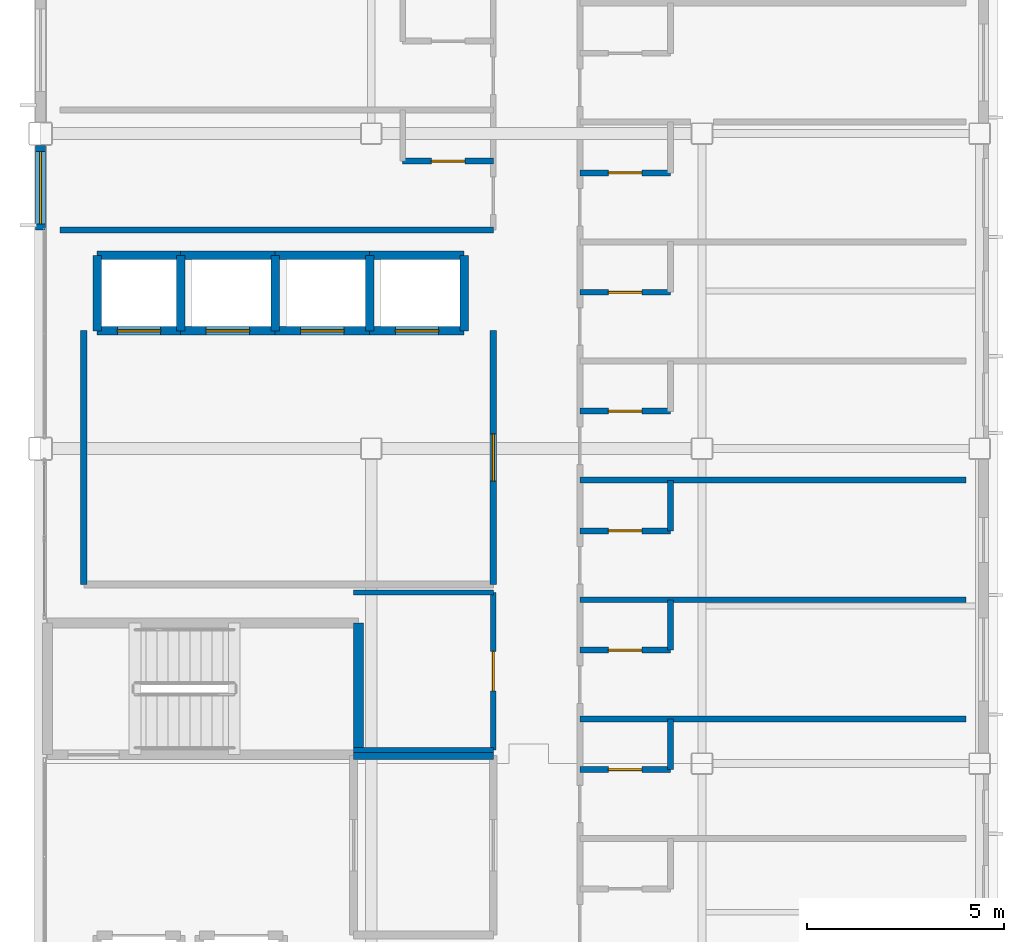
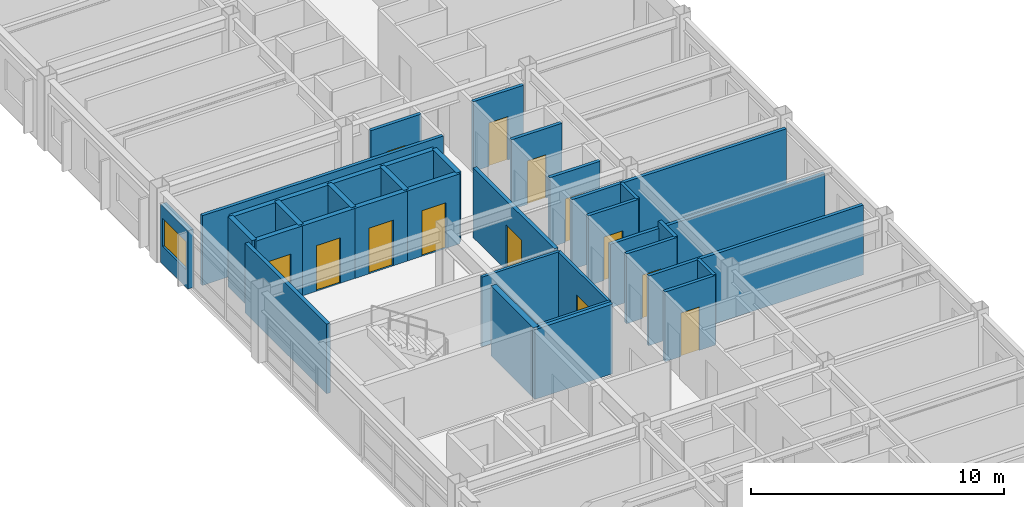
# One storey, part 28 of 38: 35 walls, 13 doors, 1 window, 14 openings.
"""IFC4 building model written with IfcOpenShell, lengths in metres."""

from ifc_helpers import new_model, si_unit, direction, frame, frame_2d, origin, place, context, subcontext, project, spatial, rectangle, extrude, material, layer, layer_set, type_object, element, fill, save


model = new_model("IFC4")

# Units and contexts
model_context = context("Model", 3, precision=1e-05, world=origin(), true_north=direction((0.0, 1.0)))
body_context = subcontext(model_context, "Body", "Model", "MODEL_VIEW")
ifc_project = project(units=[si_unit("LENGTHUNIT", "METRE"), si_unit("AREAUNIT", "SQUARE_METRE"), si_unit("VOLUMEUNIT", "CUBIC_METRE"), si_unit("PLANEANGLEUNIT", "RADIAN"), si_unit("MASSUNIT", "GRAM", prefix="KILO")], contexts=[model_context])

# Site, building, storey
site_placement = place(None, origin())
site = spatial("IfcSite", under=ifc_project, at=site_placement, CompositionType="ELEMENT")
building_placement = place(site_placement, origin())
building = spatial("IfcBuilding", under=site, at=building_placement, Name="Kazehara Bluff Congress Hotel", CompositionType="ELEMENT")
storey_placement = place(building_placement, frame((0.0, 0.0, 24.60009765625)))
storey = spatial("IfcBuildingStorey", under=building, at=storey_placement, Name="L05", CompositionType="ELEMENT", Elevation=24.60009765625)

# Wall
ifc_material_1 = material(Name="Concrete C40/50", Category="concrete")
ifc_layer_1 = layer(ifc_material_1, 0.25)
ifc_layer_set_1 = layer_set([ifc_layer_1], Name="Concrete C40/50")
wall_type_1 = type_object("IfcWallType", Name="TP-CW-RC", PredefinedType="SHEAR", material=ifc_layer_set_1)
wall_1_placement = place(storey_placement, frame((151.77490234375, 52.02490234375, 0.0), z_axis=(0.0, 0.0, 1.0), x_axis=(0.0, -1.0, 0.0)))
element("IfcWall", 1, at=wall_1_placement, inside=storey, type_object=wall_type_1, Name="L05 ST-11 core wall far", PredefinedType="SHEAR", context=body_context, shape_type="SweptSolid", body=[
    extrude(rectangle(XDim=3.349853515625, YDim=0.25, at=frame_2d((1.6748046875, 0.0))), origin(), (0.0, 0.0, 1.0), 3.3798828125),
])

# Wall, opening, window
ifc_material_2 = material(Name="Precast concrete C40/50", Category="concrete")
ifc_layer_2 = layer(ifc_material_2, 0.260009765625)
ifc_layer_set_2 = layer_set([ifc_layer_2], Name="Precast concrete C40/50")
wall_type_2 = type_object("IfcWallType", Name="TP-EW-260", PredefinedType="SOLIDWALL", material=ifc_layer_set_2)
wall_2_placement = place(storey_placement, frame((143.699951171875, 62.0, 0.0), z_axis=(0.0, 0.0, 1.0), x_axis=(0.0, 1.0, 0.0)))
wall_2 = element("IfcWall", 2, at=wall_2_placement, inside=storey, type_object=wall_type_2, Name="L05 hotel facade panel 60", PredefinedType="SOLIDWALL", context=body_context, shape_type="SweptSolid", body=[
    extrude(rectangle(XDim=2.14990234375, YDim=0.260009765625, at=frame_2d((1.074951171875, 0.0))), origin(), (0.0, 0.0, 1.0), 2.804931640625),
])
opening_1_placement = place(wall_2_placement, frame((0.14990234375, 0.0, 0.85009765625)))
opening_1 = element("IfcOpeningElement", 3, at=opening_1_placement, cuts=wall_2, Name="Opening WN-36", PredefinedType="OPENING", context=body_context, shape_type="SweptSolid", body=[
    extrude(rectangle(XDim=1.85009765625, YDim=1.35009765625, at=frame_2d((0.925048828125, 0.675048828125))), frame((0.0, 0.139892578125, 0.0), z_axis=(0.0, -1.0, 0.0), x_axis=(1.0, 0.0, 0.0)), (0.0, 0.0, 1.0), 0.280029296875),
])
ifc_material_3 = material(Name="Insulated low-E double glazing", Category="glass")
window_type = type_object("IfcWindowType", Name="TP-WN-36", PartitioningType="DOUBLE_PANEL_VERTICAL", PredefinedType="WINDOW", material=ifc_material_3)
window_placement = place(opening_1_placement, origin())
window = element("IfcWindow", 4, at=window_placement, inside=storey, type_object=window_type, Name="L05 guestroom window WN-36 105", OverallHeight=1.35009765625, OverallWidth=1.85009765625, PartitioningType="SINGLE_PANEL", PredefinedType="WINDOW", context=body_context, shape_type="SweptSolid", body=[
    extrude(rectangle(XDim=1.85009765625, YDim=1.35009765625, at=frame_2d((0.925048828125, 0.675048828125))), frame((0.0, 0.030029296875, 0.0), z_axis=(0.0, -1.0, 0.0), x_axis=(1.0, 0.0, 0.0)), (0.0, 0.0, 1.0), 0.06005859375),
])
fill(opening_1, window)

# Walls
ifc_material_4 = material(Name="Concrete C40/50", Category="concrete")
ifc_layer_3 = layer(ifc_material_4, 0.199951171875)
ifc_layer_set_3 = layer_set([ifc_layer_3], Name="Concrete C40/50")
wall_type_3 = type_object("IfcWallType", Name="TP-FW-RC", PredefinedType="SOLIDWALL", material=ifc_layer_set_3)
wall_3_placement = place(storey_placement, frame((151.64990234375, 48.64990234375, 0.0), z_axis=(0.0, 0.0, 1.0), x_axis=(1.0, 0.0, 0.0)))
element("IfcWall", 5, at=wall_3_placement, inside=storey, type_object=wall_type_3, Name="L05 partition FW-RC 561", PredefinedType="SOLIDWALL", context=body_context, shape_type="SweptSolid", body=[
    extrude(rectangle(XDim=3.550048828125, YDim=0.199951171875, at=frame_2d((1.77490234375, 0.0))), origin(), (0.0, 0.0, 1.0), 3.364990234375),
])
ifc_material_5 = material(Name="Fire-rated gypsum board stud partition")
ifc_layer_4 = layer(ifc_material_5, 0.1298828125)
ifc_layer_set_4 = layer_set([ifc_layer_4], Name="Fire-rated gypsum board stud partition")
wall_type_4 = type_object("IfcWallType", Name="TP-PT-130", PredefinedType="PARTITIONING", material=ifc_layer_set_4)
for number, where, z_axis, x_axis, name in (
    (6, (151.64990234375, 48.800048828125, 0.0), (0.0, 0.0, 1.0), (1.0, 0.0, 0.0), "L05 partition PT-130 562"),
    (7, (151.64990234375, 52.800048828125, 0.0), (0.0, 0.0, 1.0), (1.0, 0.0, 0.0), "L05 partition PT-130 566"),
):
    element("IfcWall", number, at=place(storey_placement, frame(where, z_axis=z_axis, x_axis=x_axis)), inside=storey, type_object=wall_type_4, Name=name, PredefinedType="PARTITIONING", context=body_context, shape_type="SweptSolid", body=[
        extrude(rectangle(XDim=3.550048828125, YDim=0.1298828125, at=frame_2d((1.77490234375, 0.0))), origin(), (0.0, 0.0, 1.0), 3.364990234375),
    ])

# Wall, opening, door
wall_4_placement = place(storey_placement, frame((155.199951171875, 48.800048828125, 0.0), z_axis=(0.0, 0.0, 1.0), x_axis=(0.0, 1.0, 0.0)))
wall_4 = element("IfcWall", 8, at=wall_4_placement, inside=storey, type_object=wall_type_4, Name="L05 partition PT-130 654", PredefinedType="PARTITIONING", context=body_context, shape_type="SweptSolid", body=[
    extrude(rectangle(XDim=4.0, YDim=0.1298828125, at=frame_2d((2.0, 0.0))), origin(), (0.0, 0.0, 1.0), 3.364990234375),
])
opening_2_placement = place(wall_4_placement, frame((1.5, 0.0, 0.0)))
opening_2 = element("IfcOpeningElement", 9, at=opening_2_placement, cuts=wall_4, Name="Opening ID-03", PredefinedType="OPENING", context=body_context, shape_type="SweptSolid", body=[
    extrude(rectangle(XDim=1.0, YDim=2.179931640625, at=frame_2d((0.5, 1.08984375))), frame((0.0, 0.074951171875, 0.0), z_axis=(0.0, -1.0, 0.0), x_axis=(1.0, 0.0, 0.0)), (0.0, 0.0, 1.0), 0.14990234375),
])
ifc_material_6 = material(Name="Architectural oak veneer leaf")
door_type_1 = type_object("IfcDoorType", Name="TP-ID-03", OperationType="NOTDEFINED", PredefinedType="DOOR", material=ifc_material_6)
door_1_placement = place(opening_2_placement, origin())
door_1 = element("IfcDoor", 10, at=door_1_placement, inside=storey, type_object=door_type_1, Name="L05 L05 Housekeeping and Linen Room door", OperationType="SINGLE_SWING_RIGHT", OverallHeight=2.179931640625, OverallWidth=1.0, PredefinedType="DOOR", context=body_context, shape_type="SweptSolid", body=[
    extrude(rectangle(XDim=1.0, YDim=2.179931640625, at=frame_2d((0.5, 1.08984375))), frame((0.0, 0.02490234375, 0.0), z_axis=(0.0, -1.0, 0.0), x_axis=(1.0, 0.0, 0.0)), (0.0, 0.0, 1.0), 0.050048828125),
])
fill(opening_2, door_1)

ifc_material_7 = material(Name="Fire-rated gypsum board stud partition")
ifc_layer_5 = layer(ifc_material_7, 0.14990234375)
ifc_layer_set_5 = layer_set([ifc_layer_5], Name="Fire-rated gypsum board stud partition")
wall_type_5 = type_object("IfcWallType", Name="TP-PT-150", PredefinedType="PARTITIONING", material=ifc_layer_set_5)
wall_5_placement = place(storey_placement, frame((157.39990234375, 48.300048828125, 0.0), z_axis=(0.0, 0.0, 1.0), x_axis=(1.0, 0.0, 0.0)))
wall_5 = element("IfcWall", 11, at=wall_5_placement, inside=storey, type_object=wall_type_5, Name="L05 partition PT-150 560", PredefinedType="PARTITIONING", context=body_context, shape_type="SweptSolid", body=[
    extrude(rectangle(XDim=2.300048828125, YDim=0.14990234375, at=frame_2d((1.14990234375, 0.0))), origin(), (0.0, 0.0, 1.0), 3.364990234375),
])
opening_3_placement = place(wall_5_placement, frame((0.72509765625, 0.0, 0.0)))
opening_3 = element("IfcOpeningElement", 12, at=opening_3_placement, cuts=wall_5, Name="Opening BD-01", PredefinedType="OPENING", context=body_context, shape_type="SweptSolid", body=[
    extrude(rectangle(XDim=0.85009765625, YDim=2.10009765625, at=frame_2d((0.425048828125, 1.050048828125))), frame((0.0, 0.0849609375, 0.0), z_axis=(0.0, -1.0, 0.0), x_axis=(1.0, 0.0, 0.0)), (0.0, 0.0, 1.0), 0.169921875),
])
ifc_material_8 = material(Name="Architectural oak veneer leaf")
door_type_2 = type_object("IfcDoorType", Name="TP-BD-01", OperationType="NOTDEFINED", PredefinedType="DOOR", material=ifc_material_8)
door_2_placement = place(opening_3_placement, origin())
door_2 = element("IfcDoor", 13, at=door_2_placement, inside=storey, type_object=door_type_2, Name="L05 En-suite Bathroom 105 door", OperationType="SINGLE_SWING_RIGHT", OverallHeight=2.10009765625, OverallWidth=0.85009765625, PredefinedType="DOOR", context=body_context, shape_type="SweptSolid", body=[
    extrude(rectangle(XDim=0.85009765625, YDim=2.10009765625, at=frame_2d((0.425048828125, 1.050048828125))), frame((0.0, 0.02490234375, 0.0), z_axis=(0.0, -1.0, 0.0), x_axis=(1.0, 0.0, 0.0)), (0.0, 0.0, 1.0), 0.050048828125),
])
fill(opening_3, door_2)

# Wall
wall_6_placement = place(storey_placement, frame((157.39990234375, 49.580078125, 0.0), z_axis=(0.0, 0.0, 1.0), x_axis=(1.0, 0.0, 0.0)))
element("IfcWall", 14, at=wall_6_placement, inside=storey, type_object=wall_type_5, Name="L05 partition PT-150 563", PredefinedType="PARTITIONING", context=body_context, shape_type="SweptSolid", body=[
    extrude(rectangle(XDim=9.800048828125, YDim=0.14990234375, at=frame_2d((4.89990234375, 0.0))), origin(), (0.0, 0.0, 1.0), 3.364990234375),
])

# Wall, opening, door
wall_7_placement = place(storey_placement, frame((157.39990234375, 51.330078125, 0.0), z_axis=(0.0, 0.0, 1.0), x_axis=(1.0, 0.0, 0.0)))
wall_7 = element("IfcWall", 15, at=wall_7_placement, inside=storey, type_object=wall_type_5, Name="L05 partition PT-150 564", PredefinedType="PARTITIONING", context=body_context, shape_type="SweptSolid", body=[
    extrude(rectangle(XDim=2.300048828125, YDim=0.14990234375, at=frame_2d((1.14990234375, 0.0))), origin(), (0.0, 0.0, 1.0), 3.364990234375),
])
opening_4_placement = place(wall_7_placement, frame((0.72509765625, 0.0, 0.0)))
opening_4 = element("IfcOpeningElement", 16, at=opening_4_placement, cuts=wall_7, Name="Opening BD-01", PredefinedType="OPENING", context=body_context, shape_type="SweptSolid", body=[
    extrude(rectangle(XDim=0.85009765625, YDim=2.10009765625, at=frame_2d((0.425048828125, 1.050048828125))), frame((0.0, 0.0849609375, 0.0), z_axis=(0.0, -1.0, 0.0), x_axis=(1.0, 0.0, 0.0)), (0.0, 0.0, 1.0), 0.169921875),
])
door_3_placement = place(opening_4_placement, origin())
door_3 = element("IfcDoor", 17, at=door_3_placement, inside=storey, type_object=door_type_2, Name="L05 En-suite Bathroom 106 door", OperationType="SINGLE_SWING_RIGHT", OverallHeight=2.10009765625, OverallWidth=0.85009765625, PredefinedType="DOOR", context=body_context, shape_type="SweptSolid", body=[
    extrude(rectangle(XDim=0.85009765625, YDim=2.10009765625, at=frame_2d((0.425048828125, 1.050048828125))), frame((0.0, 0.02490234375, 0.0), z_axis=(0.0, -1.0, 0.0), x_axis=(1.0, 0.0, 0.0)), (0.0, 0.0, 1.0), 0.050048828125),
])
fill(opening_4, door_3)

# Wall
wall_8_placement = place(storey_placement, frame((157.39990234375, 52.610107421875, 0.0), z_axis=(0.0, 0.0, 1.0), x_axis=(1.0, 0.0, 0.0)))
element("IfcWall", 18, at=wall_8_placement, inside=storey, type_object=wall_type_5, Name="L05 partition PT-150 565", PredefinedType="PARTITIONING", context=body_context, shape_type="SweptSolid", body=[
    extrude(rectangle(XDim=9.800048828125, YDim=0.14990234375, at=frame_2d((4.89990234375, 0.0))), origin(), (0.0, 0.0, 1.0), 3.054931640625),
])

# Wall, opening, door
wall_9_placement = place(storey_placement, frame((157.39990234375, 54.360107421875, 0.0), z_axis=(0.0, 0.0, 1.0), x_axis=(1.0, 0.0, 0.0)))
wall_9 = element("IfcWall", 19, at=wall_9_placement, inside=storey, type_object=wall_type_5, Name="L05 partition PT-150 568", PredefinedType="PARTITIONING", context=body_context, shape_type="SweptSolid", body=[
    extrude(rectangle(XDim=2.300048828125, YDim=0.14990234375, at=frame_2d((1.14990234375, 0.0))), origin(), (0.0, 0.0, 1.0), 3.364990234375),
])
opening_5_placement = place(wall_9_placement, frame((0.72509765625, 0.0, 0.0)))
opening_5 = element("IfcOpeningElement", 20, at=opening_5_placement, cuts=wall_9, Name="Opening BD-01", PredefinedType="OPENING", context=body_context, shape_type="SweptSolid", body=[
    extrude(rectangle(XDim=0.85009765625, YDim=2.10009765625, at=frame_2d((0.425048828125, 1.050048828125))), frame((0.0, 0.0849609375, 0.0), z_axis=(0.0, -1.0, 0.0), x_axis=(1.0, 0.0, 0.0)), (0.0, 0.0, 1.0), 0.169921875),
])
door_4_placement = place(opening_5_placement, origin())
door_4 = element("IfcDoor", 21, at=door_4_placement, inside=storey, type_object=door_type_2, Name="L05 En-suite Bathroom 107 door", OperationType="SINGLE_SWING_RIGHT", OverallHeight=2.10009765625, OverallWidth=0.85009765625, PredefinedType="DOOR", context=body_context, shape_type="SweptSolid", body=[
    extrude(rectangle(XDim=0.85009765625, YDim=2.10009765625, at=frame_2d((0.425048828125, 1.050048828125))), frame((0.0, 0.02490234375, 0.0), z_axis=(0.0, -1.0, 0.0), x_axis=(1.0, 0.0, 0.0)), (0.0, 0.0, 1.0), 0.050048828125),
])
fill(opening_5, door_4)

# Wall
wall_10_placement = place(storey_placement, frame((157.39990234375, 55.64990234375, 0.0), z_axis=(0.0, 0.0, 1.0), x_axis=(1.0, 0.0, 0.0)))
element("IfcWall", 22, at=wall_10_placement, inside=storey, type_object=wall_type_5, Name="L05 partition PT-150 569", PredefinedType="PARTITIONING", context=body_context, shape_type="SweptSolid", body=[
    extrude(rectangle(XDim=9.800048828125, YDim=0.14990234375, at=frame_2d((4.89990234375, 0.0))), origin(), (0.0, 0.0, 1.0), 3.364990234375),
])

# Wall, opening, door
wall_11_placement = place(storey_placement, frame((157.39990234375, 57.39990234375, 0.0), z_axis=(0.0, 0.0, 1.0), x_axis=(1.0, 0.0, 0.0)))
wall_11 = element("IfcWall", 23, at=wall_11_placement, inside=storey, type_object=wall_type_5, Name="L05 partition PT-150 570", PredefinedType="PARTITIONING", context=body_context, shape_type="SweptSolid", body=[
    extrude(rectangle(XDim=2.300048828125, YDim=0.14990234375, at=frame_2d((1.14990234375, 0.0))), origin(), (0.0, 0.0, 1.0), 3.364990234375),
])
opening_6_placement = place(wall_11_placement, frame((0.72509765625, 0.0, 0.0)))
opening_6 = element("IfcOpeningElement", 24, at=opening_6_placement, cuts=wall_11, Name="Opening BD-01", PredefinedType="OPENING", context=body_context, shape_type="SweptSolid", body=[
    extrude(rectangle(XDim=0.85009765625, YDim=2.10009765625, at=frame_2d((0.425048828125, 1.050048828125))), frame((0.0, 0.0849609375, 0.0), z_axis=(0.0, -1.0, 0.0), x_axis=(1.0, 0.0, 0.0)), (0.0, 0.0, 1.0), 0.169921875),
])
door_5_placement = place(opening_6_placement, origin())
door_5 = element("IfcDoor", 25, at=door_5_placement, inside=storey, type_object=door_type_2, Name="L05 En-suite Bathroom 108 door", OperationType="SINGLE_SWING_RIGHT", OverallHeight=2.10009765625, OverallWidth=0.85009765625, PredefinedType="DOOR", context=body_context, shape_type="SweptSolid", body=[
    extrude(rectangle(XDim=0.85009765625, YDim=2.10009765625, at=frame_2d((0.425048828125, 1.050048828125))), frame((0.0, 0.02490234375, 0.0), z_axis=(0.0, -1.0, 0.0), x_axis=(1.0, 0.0, 0.0)), (0.0, 0.0, 1.0), 0.050048828125),
])
fill(opening_6, door_5)

wall_12_placement = place(storey_placement, frame((157.39990234375, 60.419921875, 0.0), z_axis=(0.0, 0.0, 1.0), x_axis=(1.0, 0.0, 0.0)))
wall_12 = element("IfcWall", 26, at=wall_12_placement, inside=storey, type_object=wall_type_5, Name="L05 partition PT-150 572", PredefinedType="PARTITIONING", context=body_context, shape_type="SweptSolid", body=[
    extrude(rectangle(XDim=2.300048828125, YDim=0.14990234375, at=frame_2d((1.14990234375, 0.0))), origin(), (0.0, 0.0, 1.0), 3.364990234375),
])
opening_7_placement = place(wall_12_placement, frame((0.72509765625, 0.0, 0.0)))
opening_7 = element("IfcOpeningElement", 27, at=opening_7_placement, cuts=wall_12, Name="Opening BD-01", PredefinedType="OPENING", context=body_context, shape_type="SweptSolid", body=[
    extrude(rectangle(XDim=0.85009765625, YDim=2.10009765625, at=frame_2d((0.425048828125, 1.050048828125))), frame((0.0, 0.0849609375, 0.0), z_axis=(0.0, -1.0, 0.0), x_axis=(1.0, 0.0, 0.0)), (0.0, 0.0, 1.0), 0.169921875),
])
door_6_placement = place(opening_7_placement, origin())
door_6 = element("IfcDoor", 28, at=door_6_placement, inside=storey, type_object=door_type_2, Name="L05 En-suite Bathroom 109 door", OperationType="SINGLE_SWING_RIGHT", OverallHeight=2.10009765625, OverallWidth=0.85009765625, PredefinedType="DOOR", context=body_context, shape_type="SweptSolid", body=[
    extrude(rectangle(XDim=0.85009765625, YDim=2.10009765625, at=frame_2d((0.425048828125, 1.050048828125))), frame((0.0, 0.02490234375, 0.0), z_axis=(0.0, -1.0, 0.0), x_axis=(1.0, 0.0, 0.0)), (0.0, 0.0, 1.0), 0.050048828125),
])
fill(opening_7, door_6)

# Wall
wall_13_placement = place(storey_placement, frame((144.199951171875, 62.0, 0.0), z_axis=(0.0, 0.0, 1.0), x_axis=(1.0, 0.0, 0.0)))
element("IfcWall", 29, at=wall_13_placement, inside=storey, type_object=wall_type_5, Name="L05 partition PT-150 574", PredefinedType="PARTITIONING", context=body_context, shape_type="SweptSolid", body=[
    extrude(rectangle(XDim=11.0, YDim=0.14990234375, at=frame_2d((5.5, 0.0))), origin(), (0.0, 0.0, 1.0), 3.364990234375),
])

# Wall, opening, door
wall_14_placement = place(storey_placement, frame((157.39990234375, 63.449951171875, 0.0), z_axis=(0.0, 0.0, 1.0), x_axis=(1.0, 0.0, 0.0)))
wall_14 = element("IfcWall", 30, at=wall_14_placement, inside=storey, type_object=wall_type_5, Name="L05 partition PT-150 575", PredefinedType="PARTITIONING", context=body_context, shape_type="SweptSolid", body=[
    extrude(rectangle(XDim=2.300048828125, YDim=0.14990234375, at=frame_2d((1.14990234375, 0.0))), origin(), (0.0, 0.0, 1.0), 3.364990234375),
])
opening_8_placement = place(wall_14_placement, frame((0.72509765625, 0.0, 0.0)))
opening_8 = element("IfcOpeningElement", 31, at=opening_8_placement, cuts=wall_14, Name="Opening BD-01", PredefinedType="OPENING", context=body_context, shape_type="SweptSolid", body=[
    extrude(rectangle(XDim=0.85009765625, YDim=2.10009765625, at=frame_2d((0.425048828125, 1.050048828125))), frame((0.0, 0.0849609375, 0.0), z_axis=(0.0, -1.0, 0.0), x_axis=(1.0, 0.0, 0.0)), (0.0, 0.0, 1.0), 0.169921875),
])
door_7_placement = place(opening_8_placement, origin())
door_7 = element("IfcDoor", 32, at=door_7_placement, inside=storey, type_object=door_type_2, Name="L05 En-suite Bathroom 110 door", OperationType="SINGLE_SWING_RIGHT", OverallHeight=2.10009765625, OverallWidth=0.85009765625, PredefinedType="DOOR", context=body_context, shape_type="SweptSolid", body=[
    extrude(rectangle(XDim=0.85009765625, YDim=2.10009765625, at=frame_2d((0.425048828125, 1.050048828125))), frame((0.0, 0.02490234375, 0.0), z_axis=(0.0, -1.0, 0.0), x_axis=(1.0, 0.0, 0.0)), (0.0, 0.0, 1.0), 0.050048828125),
])
fill(opening_8, door_7)

wall_15_placement = place(storey_placement, frame((152.89990234375, 63.75, 0.0), z_axis=(0.0, 0.0, 1.0), x_axis=(1.0, 0.0, 0.0)))
wall_15 = element("IfcWall", 33, at=wall_15_placement, inside=storey, type_object=wall_type_5, Name="L05 partition PT-150 576", PredefinedType="PARTITIONING", context=body_context, shape_type="SweptSolid", body=[
    extrude(rectangle(XDim=2.300048828125, YDim=0.14990234375, at=frame_2d((1.14990234375, 0.0))), origin(), (0.0, 0.0, 1.0), 3.364990234375),
])
opening_9_placement = place(wall_15_placement, frame((0.72509765625, 0.0, 0.0)))
opening_9 = element("IfcOpeningElement", 34, at=opening_9_placement, cuts=wall_15, Name="Opening BD-01", PredefinedType="OPENING", context=body_context, shape_type="SweptSolid", body=[
    extrude(rectangle(XDim=0.85009765625, YDim=2.10009765625, at=frame_2d((0.425048828125, 1.050048828125))), frame((0.0, 0.0849609375, 0.0), z_axis=(0.0, -1.0, 0.0), x_axis=(1.0, 0.0, 0.0)), (0.0, 0.0, 1.0), 0.169921875),
])
door_8_placement = place(opening_9_placement, origin())
door_8 = element("IfcDoor", 35, at=door_8_placement, inside=storey, type_object=door_type_2, Name="L05 En-suite Bathroom 78 door", OperationType="SINGLE_SWING_RIGHT", OverallHeight=2.10009765625, OverallWidth=0.85009765625, PredefinedType="DOOR", context=body_context, shape_type="SweptSolid", body=[
    extrude(rectangle(XDim=0.85009765625, YDim=2.10009765625, at=frame_2d((0.425048828125, 1.050048828125))), frame((0.0, 0.02490234375, 0.0), z_axis=(0.0, -1.0, 0.0), x_axis=(1.0, 0.0, 0.0)), (0.0, 0.0, 1.0), 0.050048828125),
])
fill(opening_9, door_8)

# Walls
for number, where, z_axis, x_axis, name in (
    (36, (159.699951171875, 48.300048828125, 0.0), (0.0, 0.0, 1.0), (0.0, 1.0, 0.0), "L05 partition PT-150 673"),
    (37, (159.699951171875, 51.330078125, 0.0), (0.0, 0.0, 1.0), (0.0, 1.0, 0.0), "L05 partition PT-150 674"),
):
    element("IfcWall", number, at=place(storey_placement, frame(where, z_axis=z_axis, x_axis=x_axis)), inside=storey, type_object=wall_type_5, Name=name, PredefinedType="PARTITIONING", context=body_context, shape_type="SweptSolid", body=[
        extrude(rectangle(XDim=1.280029296875, YDim=0.14990234375, at=frame_2d((0.64013671875, 0.0))), origin(), (0.0, 0.0, 1.0), 3.364990234375),
    ])
wall_16_placement = place(storey_placement, frame((159.699951171875, 54.360107421875, 0.0), z_axis=(0.0, 0.0, 1.0), x_axis=(0.0, 1.0, 0.0)))
element("IfcWall", 38, at=wall_16_placement, inside=storey, type_object=wall_type_5, Name="L05 partition PT-150 675", PredefinedType="PARTITIONING", context=body_context, shape_type="SweptSolid", body=[
    extrude(rectangle(XDim=1.284912109375, YDim=0.14990234375, at=frame_2d((0.642578125, 0.0))), origin(), (0.0, 0.0, 1.0), 3.364990234375),
])
ifc_material_9 = material(Name="Fire-rated gypsum board stud partition")
ifc_layer_6 = layer(ifc_material_9, 0.169921875)
ifc_layer_set_6 = layer_set([ifc_layer_6], Name="Fire-rated gypsum board stud partition")
wall_type_6 = type_object("IfcWallType", Name="TP-PT-180", PredefinedType="PARTITIONING", material=ifc_layer_set_6)
wall_17_placement = place(storey_placement, frame((144.800048828125, 53.0, 0.0), z_axis=(0.0, 0.0, 1.0), x_axis=(0.0, 1.0, 0.0)))
element("IfcWall", 39, at=wall_17_placement, inside=storey, type_object=wall_type_6, Name="L05 partition PT-180 623", PredefinedType="PARTITIONING", context=body_context, shape_type="SweptSolid", body=[
    extrude(rectangle(XDim=6.449951171875, YDim=0.169921875, at=frame_2d((3.22509765625, 0.0))), origin(), (0.0, 0.0, 1.0), 3.364990234375),
])

# Wall, opening, door
wall_18_placement = place(storey_placement, frame((155.199951171875, 53.0, 0.0), z_axis=(0.0, 0.0, 1.0), x_axis=(0.0, 1.0, 0.0)))
wall_18 = element("IfcWall", 40, at=wall_18_placement, inside=storey, type_object=wall_type_6, Name="L05 partition PT-180 655", PredefinedType="PARTITIONING", context=body_context, shape_type="SweptSolid", body=[
    extrude(rectangle(XDim=6.449951171875, YDim=0.169921875, at=frame_2d((3.22509765625, 0.0))), origin(), (0.0, 0.0, 1.0), 3.364990234375),
])
opening_10_placement = place(wall_18_placement, frame((2.625, 0.0, 0.0)))
opening_10 = element("IfcOpeningElement", 41, at=opening_10_placement, cuts=wall_18, Name="Opening FD-02", PredefinedType="OPENING", context=body_context, shape_type="SweptSolid", body=[
    extrude(rectangle(XDim=1.199951171875, YDim=2.199951171875, at=frame_2d((0.60009765625, 1.10009765625))), frame((0.0, 0.094970703125, 0.0), z_axis=(0.0, -1.0, 0.0), x_axis=(1.0, 0.0, 0.0)), (0.0, 0.0, 1.0), 0.18994140625),
])
ifc_material_10 = material(Name="Fire-rated painted steel leaf", Category="steel")
door_type_3 = type_object("IfcDoorType", Name="TP-FD-02", OperationType="NOTDEFINED", PredefinedType="DOOR", material=ifc_material_10)
door_9_placement = place(opening_10_placement, origin())
door_9 = element("IfcDoor", 42, at=door_9_placement, inside=storey, type_object=door_type_3, Name="L05 Hotel Passenger Lift Lobby door", OperationType="SINGLE_SWING_RIGHT", OverallHeight=2.199951171875, OverallWidth=1.199951171875, PredefinedType="DOOR", context=body_context, shape_type="SweptSolid", body=[
    extrude(rectangle(XDim=1.199951171875, YDim=2.199951171875, at=frame_2d((0.60009765625, 1.10009765625))), frame((0.0, 0.02490234375, 0.0), z_axis=(0.0, -1.0, 0.0), x_axis=(1.0, 0.0, 0.0)), (0.0, 0.0, 1.0), 0.050048828125),
])
fill(opening_10, door_9)

# Wall
ifc_material_11 = material(Name="Concrete C40/50", Category="concrete")
ifc_layer_7 = layer(ifc_material_11, 0.219970703125)
ifc_layer_set_7 = layer_set([ifc_layer_7], Name="Concrete C40/50")
wall_type_7 = type_object("IfcWallType", Name="TP-SW-RC", PredefinedType="SHEAR", material=ifc_layer_set_7)
wall_19_placement = place(storey_placement, frame((145.139892578125, 61.360107421875, 0.0), z_axis=(0.0, 0.0, 1.0), x_axis=(1.0, 0.0, 0.0)))
element("IfcWall", 43, at=wall_19_placement, inside=storey, type_object=wall_type_7, Name="L05 EL-P1 lift shaft wall +Y", PredefinedType="SHEAR", context=body_context, shape_type="SweptSolid", body=[
    extrude(rectangle(XDim=2.1201171875, YDim=0.219970703125, at=frame_2d((1.06005859375, 0.0))), origin(), (0.0, 0.0, 1.0), 3.3798828125),
])

# Wall, opening, door
wall_20_placement = place(storey_placement, frame((145.139892578125, 59.43994140625, 0.0), z_axis=(0.0, 0.0, 1.0), x_axis=(1.0, 0.0, 0.0)))
wall_20 = element("IfcWall", 44, at=wall_20_placement, inside=storey, type_object=wall_type_7, Name="L05 EL-P1 lift shaft wall -Y", PredefinedType="SHEAR", context=body_context, shape_type="SweptSolid", body=[
    extrude(rectangle(XDim=2.1201171875, YDim=0.219970703125, at=frame_2d((1.06005859375, 0.0))), origin(), (0.0, 0.0, 1.0), 3.3798828125),
])
opening_11_placement = place(wall_20_placement, frame((0.510009765625, 0.0, 0.0)))
opening_11 = element("IfcOpeningElement", 45, at=opening_11_placement, cuts=wall_20, Name="Opening LD-01", PredefinedType="OPENING", context=body_context, shape_type="SweptSolid", body=[
    extrude(rectangle(XDim=1.10009765625, YDim=2.199951171875, at=frame_2d((0.550048828125, 1.10009765625))), frame((0.0, 0.119873046875, 0.0), z_axis=(0.0, -1.0, 0.0), x_axis=(1.0, 0.0, 0.0)), (0.0, 0.0, 1.0), 0.239990234375),
])
ifc_material_12 = material(Name="Fire-rated painted steel leaf", Category="steel")
door_type_4 = type_object("IfcDoorType", Name="TP-LD-01", OperationType="SLIDING_TO_LEFT", PredefinedType="DOOR", material=ifc_material_12)
door_10_placement = place(opening_11_placement, origin())
door_10 = element("IfcDoor", 46, at=door_10_placement, inside=storey, type_object=door_type_4, Name="L05 EL-P1 elevator landing door", OperationType="SLIDING_TO_LEFT", OverallHeight=2.199951171875, OverallWidth=1.10009765625, PredefinedType="DOOR", context=body_context, shape_type="SweptSolid", body=[
    extrude(rectangle(XDim=1.10009765625, YDim=2.199951171875, at=frame_2d((0.550048828125, 1.10009765625))), frame((0.0, 0.02490234375, 0.0), z_axis=(0.0, -1.0, 0.0), x_axis=(1.0, 0.0, 0.0)), (0.0, 0.0, 1.0), 0.050048828125),
])
fill(opening_11, door_10)

# Walls
for number, where, z_axis, x_axis, name in (
    (47, (147.260009765625, 59.43994140625, 0.0), (0.0, 0.0, 1.0), (0.0, 1.0, 0.0), "L05 EL-P1 lift shaft wall +X"),
    (48, (145.139892578125, 59.43994140625, 0.0), (0.0, 0.0, 1.0), (0.0, 1.0, 0.0), "L05 EL-P1 lift shaft wall -X"),
):
    element("IfcWall", number, at=place(storey_placement, frame(where, z_axis=z_axis, x_axis=x_axis)), inside=storey, type_object=wall_type_7, Name=name, PredefinedType="SHEAR", context=body_context, shape_type="SweptSolid", body=[
        extrude(rectangle(XDim=1.920166015625, YDim=0.219970703125, at=frame_2d((0.9599609375, 0.0))), origin(), (0.0, 0.0, 1.0), 3.3798828125),
    ])
wall_21_placement = place(storey_placement, frame((147.260009765625, 61.360107421875, 0.0), z_axis=(0.0, 0.0, 1.0), x_axis=(1.0, 0.0, 0.0)))
element("IfcWall", 49, at=wall_21_placement, inside=storey, type_object=wall_type_7, Name="L05 EL-P2 lift shaft wall +Y", PredefinedType="SHEAR", context=body_context, shape_type="SweptSolid", body=[
    extrude(rectangle(XDim=2.39990234375, YDim=0.219970703125, at=frame_2d((1.199951171875, 0.0))), origin(), (0.0, 0.0, 1.0), 3.3798828125),
])

# Wall, opening, door
wall_22_placement = place(storey_placement, frame((147.260009765625, 59.43994140625, 0.0), z_axis=(0.0, 0.0, 1.0), x_axis=(1.0, 0.0, 0.0)))
wall_22 = element("IfcWall", 50, at=wall_22_placement, inside=storey, type_object=wall_type_7, Name="L05 EL-P2 lift shaft wall -Y", PredefinedType="SHEAR", context=body_context, shape_type="SweptSolid", body=[
    extrude(rectangle(XDim=2.39990234375, YDim=0.219970703125, at=frame_2d((1.199951171875, 0.0))), origin(), (0.0, 0.0, 1.0), 3.3798828125),
])
opening_12_placement = place(wall_22_placement, frame((0.64990234375, 0.0, 0.0)))
opening_12 = element("IfcOpeningElement", 51, at=opening_12_placement, cuts=wall_22, Name="Opening LD-01", PredefinedType="OPENING", context=body_context, shape_type="SweptSolid", body=[
    extrude(rectangle(XDim=1.10009765625, YDim=2.199951171875, at=frame_2d((0.550048828125, 1.10009765625))), frame((0.0, 0.119873046875, 0.0), z_axis=(0.0, -1.0, 0.0), x_axis=(1.0, 0.0, 0.0)), (0.0, 0.0, 1.0), 0.239990234375),
])
door_11_placement = place(opening_12_placement, origin())
door_11 = element("IfcDoor", 52, at=door_11_placement, inside=storey, type_object=door_type_4, Name="L05 EL-P2 elevator landing door", OperationType="SLIDING_TO_LEFT", OverallHeight=2.199951171875, OverallWidth=1.10009765625, PredefinedType="DOOR", context=body_context, shape_type="SweptSolid", body=[
    extrude(rectangle(XDim=1.10009765625, YDim=2.199951171875, at=frame_2d((0.550048828125, 1.10009765625))), frame((0.0, 0.02490234375, 0.0), z_axis=(0.0, -1.0, 0.0), x_axis=(1.0, 0.0, 0.0)), (0.0, 0.0, 1.0), 0.050048828125),
])
fill(opening_12, door_11)

# Walls
wall_23_placement = place(storey_placement, frame((149.659912109375, 59.43994140625, 0.0), z_axis=(0.0, 0.0, 1.0), x_axis=(0.0, 1.0, 0.0)))
element("IfcWall", 53, at=wall_23_placement, inside=storey, type_object=wall_type_7, Name="L05 EL-P2 lift shaft wall +X", PredefinedType="SHEAR", context=body_context, shape_type="SweptSolid", body=[
    extrude(rectangle(XDim=1.920166015625, YDim=0.219970703125, at=frame_2d((0.9599609375, 0.0))), origin(), (0.0, 0.0, 1.0), 3.3798828125),
])
wall_24_placement = place(storey_placement, frame((149.659912109375, 61.360107421875, 0.0), z_axis=(0.0, 0.0, 1.0), x_axis=(1.0, 0.0, 0.0)))
element("IfcWall", 54, at=wall_24_placement, inside=storey, type_object=wall_type_7, Name="L05 EL-P3 lift shaft wall +Y", PredefinedType="SHEAR", context=body_context, shape_type="SweptSolid", body=[
    extrude(rectangle(XDim=2.400146484375, YDim=0.219970703125, at=frame_2d((1.2001953125, 0.0))), origin(), (0.0, 0.0, 1.0), 3.3798828125),
])

# Wall, opening, door
wall_25_placement = place(storey_placement, frame((149.659912109375, 59.43994140625, 0.0), z_axis=(0.0, 0.0, 1.0), x_axis=(1.0, 0.0, 0.0)))
wall_25 = element("IfcWall", 55, at=wall_25_placement, inside=storey, type_object=wall_type_7, Name="L05 EL-P3 lift shaft wall -Y", PredefinedType="SHEAR", context=body_context, shape_type="SweptSolid", body=[
    extrude(rectangle(XDim=2.400146484375, YDim=0.219970703125, at=frame_2d((1.2001953125, 0.0))), origin(), (0.0, 0.0, 1.0), 3.3798828125),
])
opening_13_placement = place(wall_25_placement, frame((0.64990234375, 0.0, 0.0)))
opening_13 = element("IfcOpeningElement", 56, at=opening_13_placement, cuts=wall_25, Name="Opening LD-01", PredefinedType="OPENING", context=body_context, shape_type="SweptSolid", body=[
    extrude(rectangle(XDim=1.10009765625, YDim=2.199951171875, at=frame_2d((0.550048828125, 1.10009765625))), frame((0.0, 0.119873046875, 0.0), z_axis=(0.0, -1.0, 0.0), x_axis=(1.0, 0.0, 0.0)), (0.0, 0.0, 1.0), 0.239990234375),
])
door_12_placement = place(opening_13_placement, origin())
door_12 = element("IfcDoor", 57, at=door_12_placement, inside=storey, type_object=door_type_4, Name="L05 EL-P3 elevator landing door", OperationType="SLIDING_TO_LEFT", OverallHeight=2.199951171875, OverallWidth=1.10009765625, PredefinedType="DOOR", context=body_context, shape_type="SweptSolid", body=[
    extrude(rectangle(XDim=1.10009765625, YDim=2.199951171875, at=frame_2d((0.550048828125, 1.10009765625))), frame((0.0, 0.02490234375, 0.0), z_axis=(0.0, -1.0, 0.0), x_axis=(1.0, 0.0, 0.0)), (0.0, 0.0, 1.0), 0.050048828125),
])
fill(opening_13, door_12)

# Walls
wall_26_placement = place(storey_placement, frame((152.06005859375, 59.43994140625, 0.0), z_axis=(0.0, 0.0, 1.0), x_axis=(0.0, 1.0, 0.0)))
element("IfcWall", 58, at=wall_26_placement, inside=storey, type_object=wall_type_7, Name="L05 EL-P3 lift shaft wall +X", PredefinedType="SHEAR", context=body_context, shape_type="SweptSolid", body=[
    extrude(rectangle(XDim=1.920166015625, YDim=0.219970703125, at=frame_2d((0.9599609375, 0.0))), origin(), (0.0, 0.0, 1.0), 3.3798828125),
])
wall_27_placement = place(storey_placement, frame((152.06005859375, 61.360107421875, 0.0), z_axis=(0.0, 0.0, 1.0), x_axis=(1.0, 0.0, 0.0)))
element("IfcWall", 59, at=wall_27_placement, inside=storey, type_object=wall_type_7, Name="L05 EL-P4 lift shaft wall +Y", PredefinedType="SHEAR", context=body_context, shape_type="SweptSolid", body=[
    extrude(rectangle(XDim=2.39990234375, YDim=0.219970703125, at=frame_2d((1.199951171875, 0.0))), origin(), (0.0, 0.0, 1.0), 3.3798828125),
])

# Wall, opening, door
wall_28_placement = place(storey_placement, frame((152.06005859375, 59.43994140625, 0.0), z_axis=(0.0, 0.0, 1.0), x_axis=(1.0, 0.0, 0.0)))
wall_28 = element("IfcWall", 60, at=wall_28_placement, inside=storey, type_object=wall_type_7, Name="L05 EL-P4 lift shaft wall -Y", PredefinedType="SHEAR", context=body_context, shape_type="SweptSolid", body=[
    extrude(rectangle(XDim=2.39990234375, YDim=0.219970703125, at=frame_2d((1.199951171875, 0.0))), origin(), (0.0, 0.0, 1.0), 3.3798828125),
])
opening_14_placement = place(wall_28_placement, frame((0.64990234375, 0.0, 0.0)))
opening_14 = element("IfcOpeningElement", 61, at=opening_14_placement, cuts=wall_28, Name="Opening LD-01", PredefinedType="OPENING", context=body_context, shape_type="SweptSolid", body=[
    extrude(rectangle(XDim=1.10009765625, YDim=2.199951171875, at=frame_2d((0.550048828125, 1.10009765625))), frame((0.0, 0.119873046875, 0.0), z_axis=(0.0, -1.0, 0.0), x_axis=(1.0, 0.0, 0.0)), (0.0, 0.0, 1.0), 0.239990234375),
])
door_13_placement = place(opening_14_placement, origin())
door_13 = element("IfcDoor", 62, at=door_13_placement, inside=storey, type_object=door_type_4, Name="L05 EL-P4 elevator landing door", OperationType="SLIDING_TO_LEFT", OverallHeight=2.199951171875, OverallWidth=1.10009765625, PredefinedType="DOOR", context=body_context, shape_type="SweptSolid", body=[
    extrude(rectangle(XDim=1.10009765625, YDim=2.199951171875, at=frame_2d((0.550048828125, 1.10009765625))), frame((0.0, 0.02490234375, 0.0), z_axis=(0.0, -1.0, 0.0), x_axis=(1.0, 0.0, 0.0)), (0.0, 0.0, 1.0), 0.050048828125),
])
fill(opening_14, door_13)

# Wall
wall_29_placement = place(storey_placement, frame((154.4599609375, 59.43994140625, 0.0), z_axis=(0.0, 0.0, 1.0), x_axis=(0.0, 1.0, 0.0)))
element("IfcWall", 63, at=wall_29_placement, inside=storey, type_object=wall_type_7, Name="L05 EL-P4 lift shaft wall +X", PredefinedType="SHEAR", context=body_context, shape_type="SweptSolid", body=[
    extrude(rectangle(XDim=1.920166015625, YDim=0.219970703125, at=frame_2d((0.9599609375, 0.0))), origin(), (0.0, 0.0, 1.0), 3.3798828125),
])

save(model, "model.ifc")
